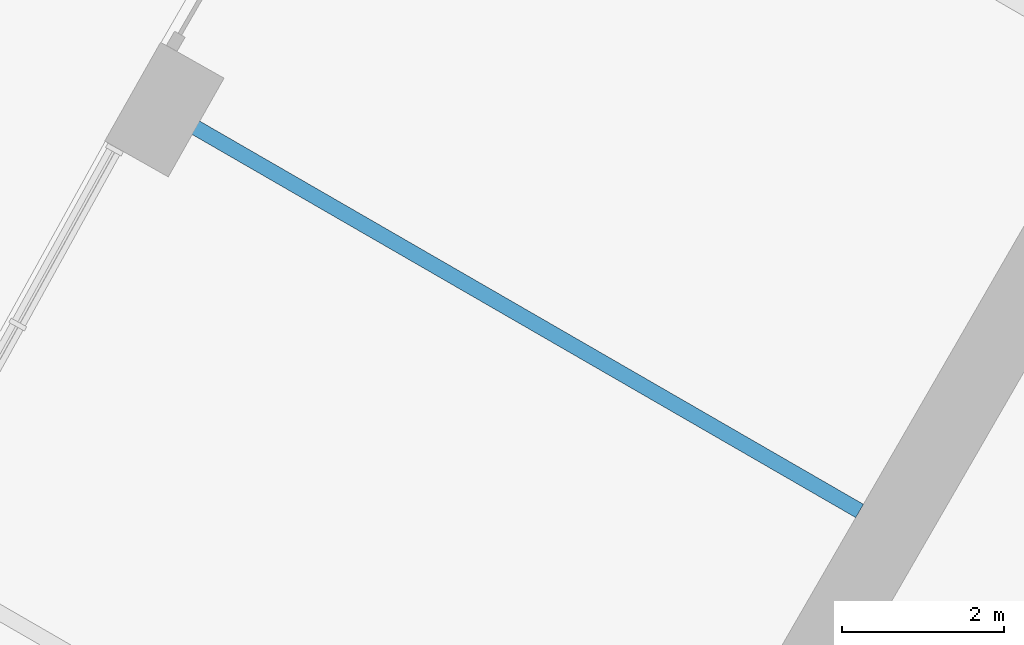
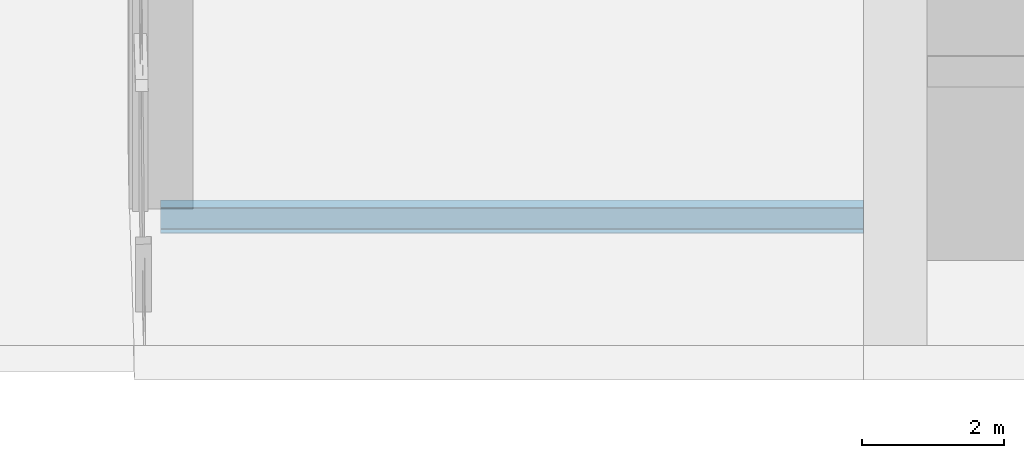
# One storey, part 7 of 41: 1 beam.
"""IFC4 building model written with IfcOpenShell, lengths in metres."""

from ifc_helpers import new_model, si_unit, direction, frame, origin, origin_2d, place, context, subcontext, project, spatial, i_section, extrude, material, material_profile, profile_set, type_object, element, save


model = new_model("IFC4")

# Units and contexts
model_context = context("Model", 3, precision=1e-05, world=origin(), true_north=direction((0.0, 1.0)))
body_context = subcontext(model_context, "Body", "Model", "MODEL_VIEW")
ifc_project = project(units=[si_unit("LENGTHUNIT", "METRE"), si_unit("AREAUNIT", "SQUARE_METRE"), si_unit("VOLUMEUNIT", "CUBIC_METRE"), si_unit("PLANEANGLEUNIT", "RADIAN"), si_unit("MASSUNIT", "GRAM", prefix="KILO")], contexts=[model_context])

# Site, building, storey
site_placement = place(None, origin())
site = spatial("IfcSite", under=ifc_project, at=site_placement, CompositionType="ELEMENT")
building_placement = place(site_placement, origin())
building = spatial("IfcBuilding", under=site, at=building_placement, Name="Mestral Congress Tower", CompositionType="ELEMENT")
storey_placement = place(building_placement, frame((0.0, 0.0, 21.60009765625)))
storey = spatial("IfcBuildingStorey", under=building, at=storey_placement, Name="L04", CompositionType="ELEMENT", Elevation=21.60009765625)

# Beam
ifc_material = material(Name="Steel S355", Category="steel")
ifc_material_profile = material_profile(ifc_material, i_section(OverallWidth=0.18994140625, OverallDepth=0.449951171875, WebThickness=0.009521484375, FlangeThickness=0.0146484375, FilletRadius=0.02099609375, at=origin_2d()), Name="IPE 450")
ifc_profile_set = profile_set([ifc_material_profile], Name="Steel S355")
beam_type = type_object("IfcBeamType", Name="Floor beam IPE 450 S355", PredefinedType="BEAM", material=ifc_profile_set)
beam_placement = place(storey_placement, frame((-21.443359375, 8.685302734375, -0.625), z_axis=(0.866024815816, -0.500001018391, 0.0), x_axis=(0.500001018391, 0.866024815816, 0.0)))
element("IfcBeam", 1, at=beam_placement, inside=storey, type_object=beam_type, Name="BM-L04-RB1-W05", PredefinedType="BEAM", context=body_context, shape_type="SweptSolid", body=[
    extrude(i_section(OverallWidth=0.18994140625, OverallDepth=0.449951171875, WebThickness=0.009521484375, FlangeThickness=0.0146484375, FilletRadius=0.02099609375, at=origin_2d()), origin(), (0.0, 0.0, 1.0), 9.9130859375),
])

save(model, "model.ifc")
